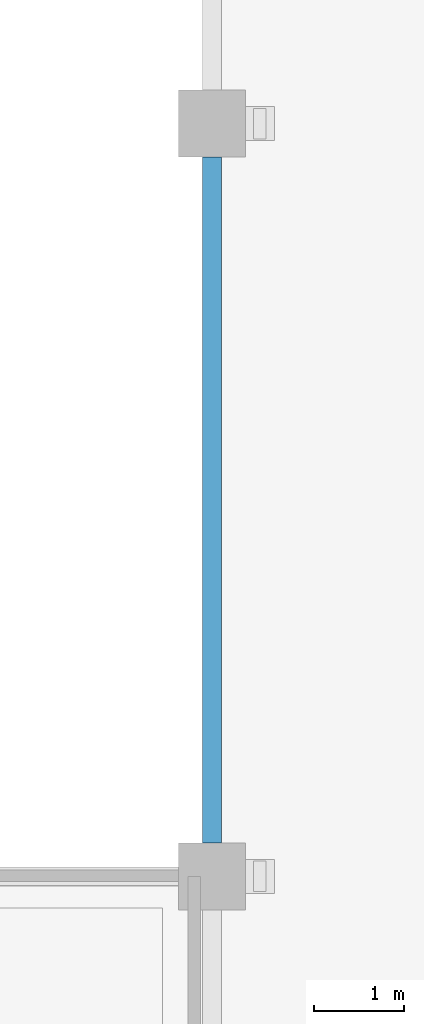
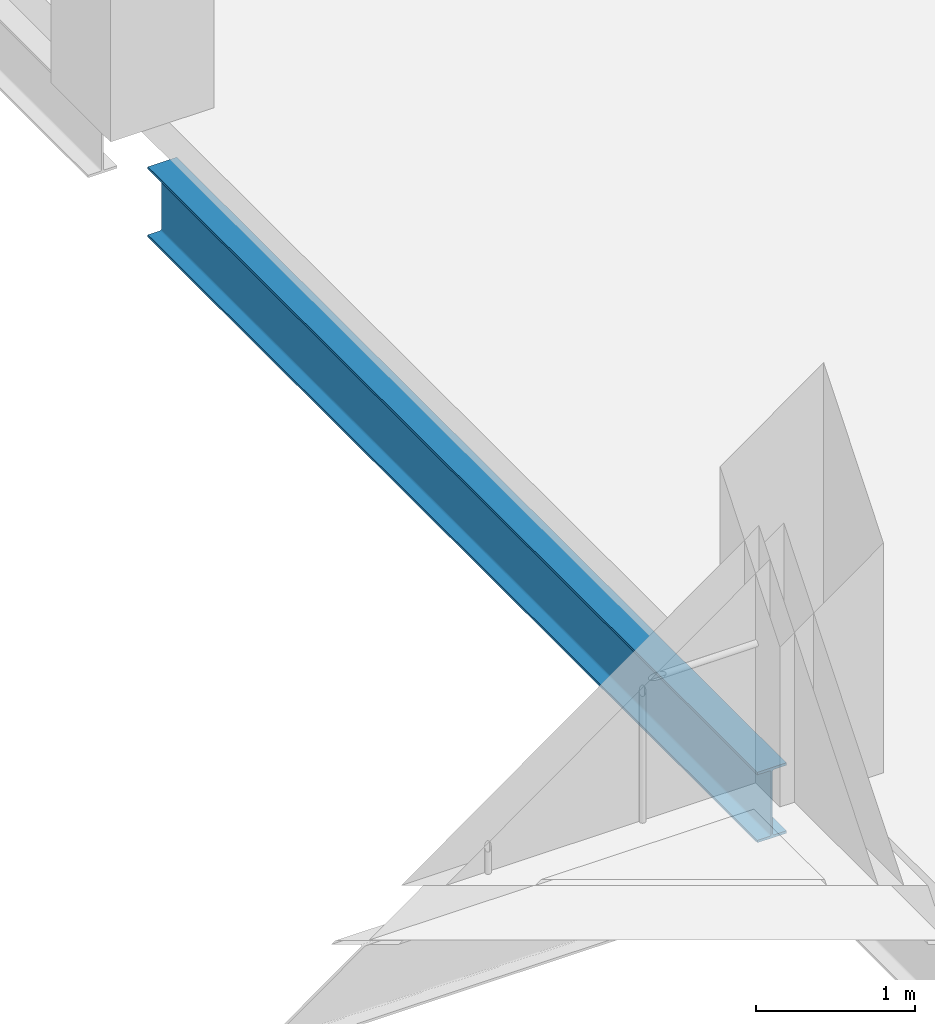
# One storey, part 27 of 161: 1 beam.
"""IFC4 building model written with IfcOpenShell, lengths in metres."""

from ifc_helpers import new_model, si_unit, direction, frame, origin, origin_2d, place, context, subcontext, project, spatial, i_section, extrude, material, material_profile, profile_set, type_object, element, save


model = new_model("IFC4")

# Units and contexts
model_context = context("Model", 3, precision=1e-05, world=origin(), true_north=direction((0.0, 1.0)))
body_context = subcontext(model_context, "Body", "Model", "MODEL_VIEW")
ifc_project = project(units=[si_unit("LENGTHUNIT", "METRE"), si_unit("AREAUNIT", "SQUARE_METRE"), si_unit("VOLUMEUNIT", "CUBIC_METRE"), si_unit("PLANEANGLEUNIT", "RADIAN"), si_unit("MASSUNIT", "GRAM", prefix="KILO"), si_unit("THERMODYNAMICTEMPERATUREUNIT", "KELVIN")], contexts=[model_context])

# Site, building, storey
site_placement = place(None, origin())
site = spatial("IfcSite", under=ifc_project, at=site_placement, CompositionType="ELEMENT")
building_placement = place(site_placement, origin())
building = spatial("IfcBuilding", under=site, at=building_placement, Name="Nduvali Passage Aquatics Centre", CompositionType="ELEMENT")
storey_placement = place(building_placement, frame((0.0, 0.0, 4.800048828125)))
storey = spatial("IfcBuildingStorey", under=building, at=storey_placement, Name="L01", CompositionType="ELEMENT", Elevation=4.800048828125)

# Beam
ifc_material = material(Name="Steel S355", Category="steel")
ifc_material_profile = material_profile(ifc_material, i_section(OverallWidth=0.210693359375, OverallDepth=0.53955078125, WebThickness=0.01171875, FlangeThickness=0.018798828125, FilletRadius=0.0126953125, at=origin_2d()), Name="UKB 533x210x109")
ifc_profile_set = profile_set([ifc_material_profile], Name="Steel S355")
beam_type = type_object("IfcBeamType", Name="STR-BM-UKB533-EXT", PredefinedType="BEAM", material=ifc_profile_set)
beam_placement = place(storey_placement, frame((25.199951171875, 42.375, -0.553955078125), z_axis=(0.0, 1.0, 0.0), x_axis=(-1.0, 0.0, 0.0)))
element("IfcBeam", 1, at=beam_placement, inside=storey, type_object=beam_type, Name="L01 Primary Y-Girder B6E-0570", PredefinedType="BEAM", context=body_context, shape_type="SweptSolid", body=[
    extrude(i_section(OverallWidth=0.210693359375, OverallDepth=0.53955078125, WebThickness=0.01171875, FlangeThickness=0.018798828125, FilletRadius=0.0126953125, at=origin_2d()), origin(), (0.0, 0.0, 1.0), 7.64990234375),
])

save(model, "model.ifc")
